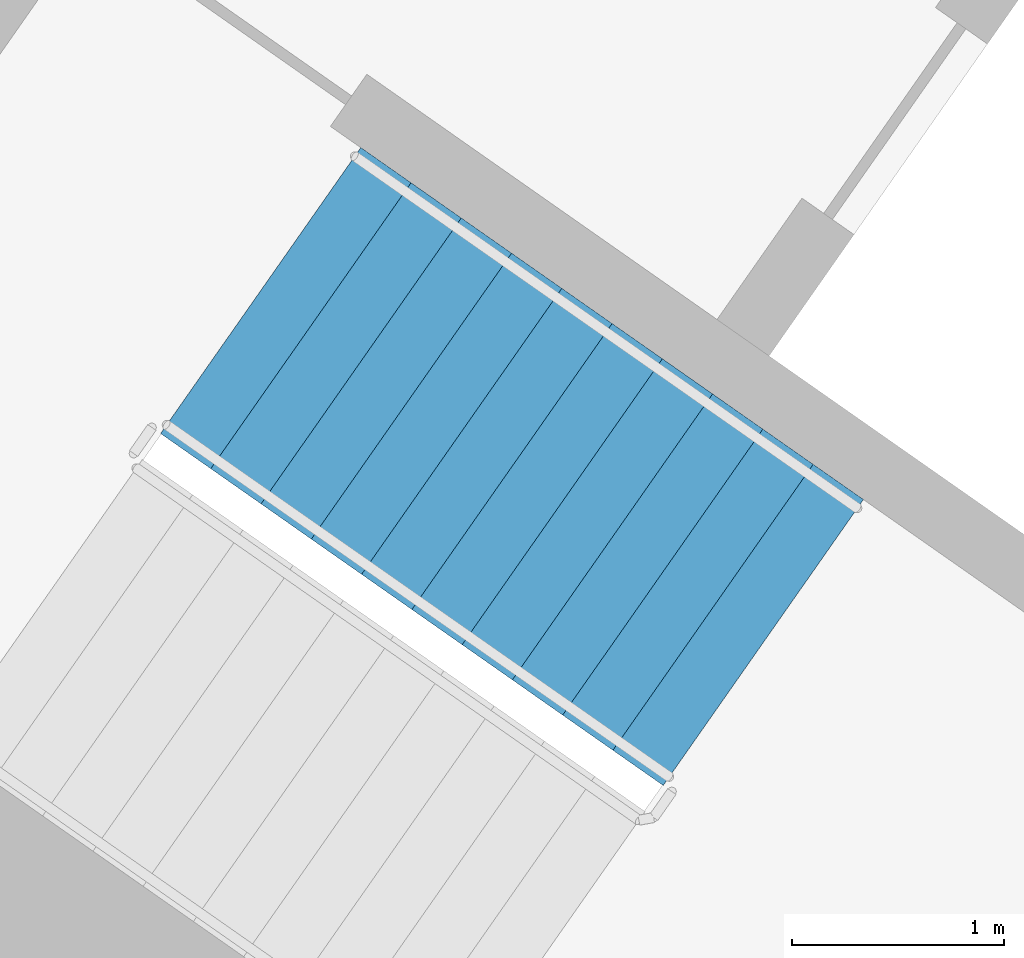
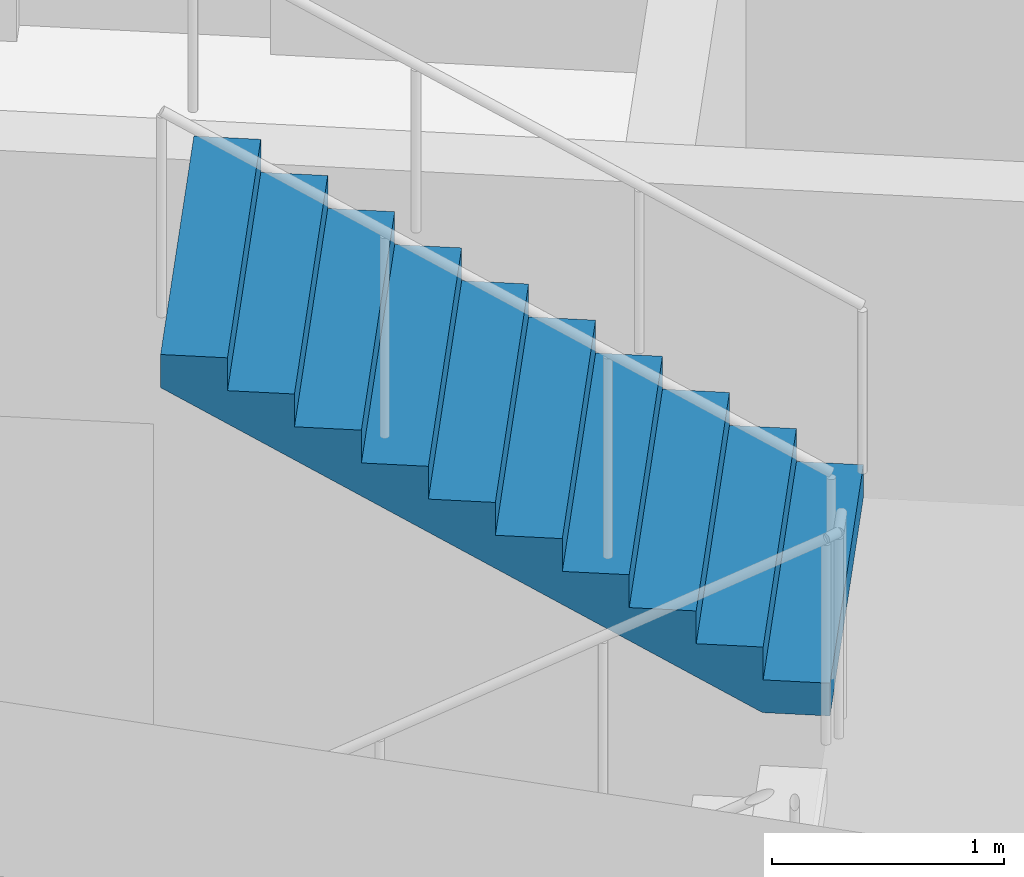
# One storey, part 11 of 31: 1 stair flight, 1 element without a shape of its own.
"""IFC4 building model written with IfcOpenShell, lengths in metres."""

from ifc_helpers import new_model, si_unit, direction, frame, origin, place, context, subcontext, project, spatial, faceted_brep, material, type_object, element, aggregate, save


model = new_model("IFC4")

# Units and contexts
model_context = context("Model", 3, precision=1e-05, world=origin(), true_north=direction((0.0, 1.0)))
body_context = subcontext(model_context, "Body", "Model", "MODEL_VIEW")
ifc_project = project(units=[si_unit("LENGTHUNIT", "METRE"), si_unit("AREAUNIT", "SQUARE_METRE"), si_unit("VOLUMEUNIT", "CUBIC_METRE"), si_unit("PLANEANGLEUNIT", "RADIAN"), si_unit("MASSUNIT", "GRAM", prefix="KILO")], contexts=[model_context])

# Site, building, storey
site_placement = place(None, origin())
site = spatial("IfcSite", under=ifc_project, at=site_placement, CompositionType="ELEMENT")
building_placement = place(site_placement, origin())
building = spatial("IfcBuilding", under=site, at=building_placement, Name="Qamariyya Broadcast Tower", CompositionType="ELEMENT")
storey_placement = place(building_placement, frame((0.0, 0.0, 48.10009765625)))
storey = spatial("IfcBuildingStorey", under=building, at=storey_placement, Name="L08", CompositionType="ELEMENT", Elevation=48.10009765625)

# Stair, stair flight
ifc_material = material(Name="Concrete C50/60", Category="concrete")
stair_type = type_object("IfcStairType", Name="Exit stair 22 risers of 173 mm", PredefinedType="HALF_TURN_STAIR", material=ifc_material)
stair_placement = place(storey_placement, origin())
stair = element("IfcStair", 1, at=stair_placement, inside=storey, type_object=stair_type, Name="L08 Stair W1", PredefinedType="HALF_TURN_STAIR")
stair_flight_type = type_object("IfcStairFlightType", Name="Exit stair flight 11 risers of 173 mm", PredefinedType="STRAIGHT", material=ifc_material)
stair_flight_placement = place(storey_placement, frame((-43.660888671875, -57.17138671875, 1.89990234375), z_axis=(0.0, 0.0, 1.0), x_axis=(-0.819152044289, 0.573576436351, 0.0)))
stair_flight = element("IfcStairFlight", 2, at=stair_flight_placement, type_object=stair_flight_type, Name="ST-W1 flight 2", NumberOfRisers=11, NumberOfTreads=10, PredefinedType="STRAIGHT", RiserHeight=0.172727273, TreadLength=0.29, context=body_context, shape_type="Brep", body=[
    faceted_brep([(0.0, 0.824951171875, 0.0), (0.0, 0.824951171875, 0.172607421875), (0.2900390625, 0.824951171875, 0.172607421875), (0.2900390625, 0.824951171875, 0.345458984375), (0.580078125, 0.824951171875, 0.345458984375), (0.580078125, 0.824951171875, 0.51806640625), (0.8701171875, 0.824951171875, 0.51806640625), (0.8701171875, 0.824951171875, 0.69091796875), (1.159912109375, 0.824951171875, 0.69091796875), (1.159912109375, 0.824951171875, 0.863525390625), (1.449951171875, 0.824951171875, 0.863525390625), (1.449951171875, 0.824951171875, 1.036376953125), (1.739990234375, 0.824951171875, 1.036376953125), (1.739990234375, 0.824951171875, 1.208984375), (2.030029296875, 0.824951171875, 1.208984375), (2.030029296875, 0.824951171875, 1.3818359375), (2.320068359375, 0.824951171875, 1.3818359375), (2.320068359375, 0.824951171875, 1.554443359375), (2.610107421875, 0.824951171875, 1.554443359375), (2.610107421875, 0.824951171875, 1.727294921875), (2.89990234375, 0.824951171875, 1.727294921875), (2.89990234375, 0.824951171875, 1.552734375), (0.29296875, 0.824951171875, 0.0), (0.29296875, -0.824951171875, 0.0), (2.89990234375, -0.824951171875, 1.552734375), (2.89990234375, -0.824951171875, 1.727294921875), (2.610107421875, -0.824951171875, 1.727294921875), (2.610107421875, -0.824951171875, 1.554443359375), (2.320068359375, -0.824951171875, 1.554443359375), (2.320068359375, -0.824951171875, 1.3818359375), (2.030029296875, -0.824951171875, 1.3818359375), (2.030029296875, -0.824951171875, 1.208984375), (1.739990234375, -0.824951171875, 1.208984375), (1.739990234375, -0.824951171875, 1.036376953125), (1.449951171875, -0.824951171875, 1.036376953125), (1.449951171875, -0.824951171875, 0.863525390625), (1.159912109375, -0.824951171875, 0.863525390625), (1.159912109375, -0.824951171875, 0.69091796875), (0.8701171875, -0.824951171875, 0.69091796875), (0.8701171875, -0.824951171875, 0.51806640625), (0.580078125, -0.824951171875, 0.51806640625), (0.580078125, -0.824951171875, 0.345458984375), (0.2900390625, -0.824951171875, 0.345458984375), (0.2900390625, -0.824951171875, 0.172607421875), (0.0, -0.824951171875, 0.172607421875), (0.0, -0.824951171875, 0.0), (0.0, 0.10009765625, 0.0), (0.0, 0.086669921875, 0.0), (0.0, 0.0732421875, 0.0), (0.0, 0.06005859375, 0.0), (0.0, 0.046630859375, 0.0), (0.0, 0.033447265625, 0.0), (0.0, 0.02001953125, 0.0), (0.0, 0.006591796875, 0.0), (0.0, -0.006591796875, 0.0), (0.0, -0.02001953125, 0.0), (0.0, -0.033447265625, 0.0), (0.0, -0.046630859375, 0.0), (0.0, -0.06005859375, 0.0), (0.0, -0.0732421875, 0.0), (0.0, -0.086669921875, 0.0), (0.0, -0.10009765625, 0.0), (0.0, -0.10009765625, 0.172607421875), (0.0, -0.086669921875, 0.172607421875), (0.0, -0.0732421875, 0.172607421875), (0.0, -0.06005859375, 0.172607421875), (0.0, -0.046630859375, 0.172607421875), (0.0, -0.033447265625, 0.172607421875), (0.0, -0.02001953125, 0.172607421875), (0.0, -0.006591796875, 0.172607421875), (0.0, 0.006591796875, 0.172607421875), (0.0, 0.02001953125, 0.172607421875), (0.0, 0.033447265625, 0.172607421875), (0.0, 0.046630859375, 0.172607421875), (0.0, 0.06005859375, 0.172607421875), (0.0, 0.0732421875, 0.172607421875), (0.0, 0.086669921875, 0.172607421875), (0.0, 0.10009765625, 0.172607421875), (0.2900390625, -0.10009765625, 0.172607421875), (0.2900390625, -0.086669921875, 0.172607421875), (0.2900390625, -0.0732421875, 0.172607421875), (0.2900390625, -0.06005859375, 0.172607421875), (0.2900390625, -0.046630859375, 0.172607421875), (0.2900390625, -0.033447265625, 0.172607421875), (0.2900390625, -0.02001953125, 0.172607421875), (0.2900390625, -0.006591796875, 0.172607421875), (0.2900390625, 0.006591796875, 0.172607421875), (0.2900390625, 0.02001953125, 0.172607421875), (0.2900390625, 0.033447265625, 0.172607421875), (0.2900390625, 0.046630859375, 0.172607421875), (0.2900390625, 0.06005859375, 0.172607421875), (0.2900390625, 0.0732421875, 0.172607421875), (0.2900390625, 0.086669921875, 0.172607421875), (0.2900390625, 0.10009765625, 0.172607421875), (0.2900390625, -0.10009765625, 0.345458984375), (0.2900390625, -0.086669921875, 0.345458984375), (0.2900390625, -0.0732421875, 0.345458984375), (0.2900390625, -0.06005859375, 0.345458984375), (0.2900390625, -0.046630859375, 0.345458984375), (0.2900390625, -0.033447265625, 0.345458984375), (0.2900390625, -0.02001953125, 0.345458984375), (0.2900390625, -0.006591796875, 0.345458984375), (0.2900390625, 0.006591796875, 0.345458984375), (0.2900390625, 0.02001953125, 0.345458984375), (0.2900390625, 0.033447265625, 0.345458984375), (0.2900390625, 0.046630859375, 0.345458984375), (0.2900390625, 0.06005859375, 0.345458984375), (0.2900390625, 0.0732421875, 0.345458984375), (0.2900390625, 0.086669921875, 0.345458984375), (0.2900390625, 0.10009765625, 0.345458984375), (0.580078125, -0.10009765625, 0.345458984375), (0.580078125, -0.086669921875, 0.345458984375), (0.580078125, -0.0732421875, 0.345458984375), (0.580078125, -0.06005859375, 0.345458984375), (0.580078125, -0.046630859375, 0.345458984375), (0.580078125, -0.033447265625, 0.345458984375), (0.580078125, -0.02001953125, 0.345458984375), (0.580078125, -0.006591796875, 0.345458984375), (0.580078125, 0.006591796875, 0.345458984375), (0.580078125, 0.02001953125, 0.345458984375), (0.580078125, 0.033447265625, 0.345458984375), (0.580078125, 0.046630859375, 0.345458984375), (0.580078125, 0.06005859375, 0.345458984375), (0.580078125, 0.0732421875, 0.345458984375), (0.580078125, 0.086669921875, 0.345458984375), (0.580078125, 0.10009765625, 0.345458984375), (0.580078125, -0.10009765625, 0.51806640625), (0.580078125, -0.086669921875, 0.51806640625), (0.580078125, -0.0732421875, 0.51806640625), (0.580078125, -0.06005859375, 0.51806640625), (0.580078125, -0.046630859375, 0.51806640625), (0.580078125, -0.033447265625, 0.51806640625), (0.580078125, -0.02001953125, 0.51806640625), (0.580078125, -0.006591796875, 0.51806640625), (0.580078125, 0.006591796875, 0.51806640625), (0.580078125, 0.02001953125, 0.51806640625), (0.580078125, 0.033447265625, 0.51806640625), (0.580078125, 0.046630859375, 0.51806640625), (0.580078125, 0.06005859375, 0.51806640625), (0.580078125, 0.0732421875, 0.51806640625), (0.580078125, 0.086669921875, 0.51806640625), (0.580078125, 0.10009765625, 0.51806640625), (0.8701171875, -0.10009765625, 0.51806640625), (0.8701171875, -0.086669921875, 0.51806640625), (0.8701171875, -0.0732421875, 0.51806640625), (0.8701171875, -0.06005859375, 0.51806640625), (0.8701171875, -0.046630859375, 0.51806640625), (0.8701171875, -0.033447265625, 0.51806640625), (0.8701171875, -0.02001953125, 0.51806640625), (0.8701171875, -0.006591796875, 0.51806640625), (0.8701171875, 0.006591796875, 0.51806640625), (0.8701171875, 0.02001953125, 0.51806640625), (0.8701171875, 0.033447265625, 0.51806640625), (0.8701171875, 0.046630859375, 0.51806640625), (0.8701171875, 0.06005859375, 0.51806640625), (0.8701171875, 0.0732421875, 0.51806640625), (0.8701171875, 0.086669921875, 0.51806640625), (0.8701171875, 0.10009765625, 0.51806640625), (0.8701171875, -0.10009765625, 0.69091796875), (0.8701171875, -0.086669921875, 0.69091796875), (0.8701171875, -0.0732421875, 0.69091796875), (0.8701171875, -0.06005859375, 0.69091796875), (0.8701171875, -0.046630859375, 0.69091796875), (0.8701171875, -0.033447265625, 0.69091796875), (0.8701171875, -0.02001953125, 0.69091796875), (0.8701171875, -0.006591796875, 0.69091796875), (0.8701171875, 0.006591796875, 0.69091796875), (0.8701171875, 0.02001953125, 0.69091796875), (0.8701171875, 0.033447265625, 0.69091796875), (0.8701171875, 0.046630859375, 0.69091796875), (0.8701171875, 0.06005859375, 0.69091796875), (0.8701171875, 0.0732421875, 0.69091796875), (0.8701171875, 0.086669921875, 0.69091796875), (0.8701171875, 0.10009765625, 0.69091796875), (1.159912109375, -0.10009765625, 0.69091796875), (1.159912109375, -0.086669921875, 0.69091796875), (1.159912109375, -0.0732421875, 0.69091796875), (1.159912109375, -0.06005859375, 0.69091796875), (1.159912109375, -0.046630859375, 0.69091796875), (1.159912109375, -0.033447265625, 0.69091796875), (1.159912109375, -0.02001953125, 0.69091796875), (1.159912109375, -0.006591796875, 0.69091796875), (1.159912109375, 0.006591796875, 0.69091796875), (1.159912109375, 0.02001953125, 0.69091796875), (1.159912109375, 0.033447265625, 0.69091796875), (1.159912109375, 0.046630859375, 0.69091796875), (1.159912109375, 0.06005859375, 0.69091796875), (1.159912109375, 0.0732421875, 0.69091796875), (1.159912109375, 0.086669921875, 0.69091796875), (1.159912109375, 0.10009765625, 0.69091796875), (1.159912109375, -0.10009765625, 0.863525390625), (1.159912109375, -0.086669921875, 0.863525390625), (1.159912109375, -0.0732421875, 0.863525390625), (1.159912109375, -0.06005859375, 0.863525390625), (1.159912109375, -0.046630859375, 0.863525390625), (1.159912109375, -0.033447265625, 0.863525390625), (1.159912109375, -0.02001953125, 0.863525390625), (1.159912109375, -0.006591796875, 0.863525390625), (1.159912109375, 0.006591796875, 0.863525390625), (1.159912109375, 0.02001953125, 0.863525390625), (1.159912109375, 0.033447265625, 0.863525390625), (1.159912109375, 0.046630859375, 0.863525390625), (1.159912109375, 0.06005859375, 0.863525390625), (1.159912109375, 0.0732421875, 0.863525390625), (1.159912109375, 0.086669921875, 0.863525390625), (1.159912109375, 0.10009765625, 0.863525390625), (1.449951171875, -0.10009765625, 0.863525390625), (1.449951171875, -0.086669921875, 0.863525390625), (1.449951171875, -0.0732421875, 0.863525390625), (1.449951171875, -0.06005859375, 0.863525390625), (1.449951171875, -0.046630859375, 0.863525390625), (1.449951171875, -0.033447265625, 0.863525390625), (1.449951171875, -0.02001953125, 0.863525390625), (1.449951171875, -0.006591796875, 0.863525390625), (1.449951171875, 0.006591796875, 0.863525390625), (1.449951171875, 0.02001953125, 0.863525390625), (1.449951171875, 0.033447265625, 0.863525390625), (1.449951171875, 0.046630859375, 0.863525390625), (1.449951171875, 0.06005859375, 0.863525390625), (1.449951171875, 0.0732421875, 0.863525390625), (1.449951171875, 0.086669921875, 0.863525390625), (1.449951171875, 0.10009765625, 0.863525390625), (1.449951171875, -0.10009765625, 1.036376953125), (1.449951171875, -0.086669921875, 1.036376953125), (1.449951171875, -0.0732421875, 1.036376953125), (1.449951171875, -0.06005859375, 1.036376953125), (1.449951171875, -0.046630859375, 1.036376953125), (1.449951171875, -0.033447265625, 1.036376953125), (1.449951171875, -0.02001953125, 1.036376953125), (1.449951171875, -0.006591796875, 1.036376953125), (1.449951171875, 0.006591796875, 1.036376953125), (1.449951171875, 0.02001953125, 1.036376953125), (1.449951171875, 0.033447265625, 1.036376953125), (1.449951171875, 0.046630859375, 1.036376953125), (1.449951171875, 0.06005859375, 1.036376953125), (1.449951171875, 0.0732421875, 1.036376953125), (1.449951171875, 0.086669921875, 1.036376953125), (1.449951171875, 0.10009765625, 1.036376953125), (1.739990234375, -0.10009765625, 1.036376953125), (1.739990234375, -0.086669921875, 1.036376953125), (1.739990234375, -0.0732421875, 1.036376953125), (1.739990234375, -0.06005859375, 1.036376953125), (1.739990234375, -0.046630859375, 1.036376953125), (1.739990234375, -0.033447265625, 1.036376953125), (1.739990234375, -0.02001953125, 1.036376953125), (1.739990234375, -0.006591796875, 1.036376953125), (1.739990234375, 0.006591796875, 1.036376953125), (1.739990234375, 0.02001953125, 1.036376953125), (1.739990234375, 0.033447265625, 1.036376953125), (1.739990234375, 0.046630859375, 1.036376953125), (1.739990234375, 0.06005859375, 1.036376953125), (1.739990234375, 0.0732421875, 1.036376953125), (1.739990234375, 0.086669921875, 1.036376953125), (1.739990234375, 0.10009765625, 1.036376953125), (1.739990234375, -0.10009765625, 1.208984375), (1.739990234375, -0.086669921875, 1.208984375), (1.739990234375, -0.0732421875, 1.208984375), (1.739990234375, -0.06005859375, 1.208984375), (1.739990234375, -0.046630859375, 1.208984375), (1.739990234375, -0.033447265625, 1.208984375), (1.739990234375, -0.02001953125, 1.208984375), (1.739990234375, -0.006591796875, 1.208984375), (1.739990234375, 0.006591796875, 1.208984375), (1.739990234375, 0.02001953125, 1.208984375), (1.739990234375, 0.033447265625, 1.208984375), (1.739990234375, 0.046630859375, 1.208984375), (1.739990234375, 0.06005859375, 1.208984375), (1.739990234375, 0.0732421875, 1.208984375), (1.739990234375, 0.086669921875, 1.208984375), (1.739990234375, 0.10009765625, 1.208984375), (2.030029296875, -0.10009765625, 1.208984375), (2.030029296875, -0.086669921875, 1.208984375), (2.030029296875, -0.0732421875, 1.208984375), (2.030029296875, -0.06005859375, 1.208984375), (2.030029296875, -0.046630859375, 1.208984375), (2.030029296875, -0.033447265625, 1.208984375), (2.030029296875, -0.02001953125, 1.208984375), (2.030029296875, -0.006591796875, 1.208984375), (2.030029296875, 0.006591796875, 1.208984375), (2.030029296875, 0.02001953125, 1.208984375), (2.030029296875, 0.033447265625, 1.208984375), (2.030029296875, 0.046630859375, 1.208984375), (2.030029296875, 0.06005859375, 1.208984375), (2.030029296875, 0.0732421875, 1.208984375), (2.030029296875, 0.086669921875, 1.208984375), (2.030029296875, 0.10009765625, 1.208984375), (2.030029296875, -0.10009765625, 1.3818359375), (2.030029296875, -0.086669921875, 1.3818359375), (2.030029296875, -0.0732421875, 1.3818359375), (2.030029296875, -0.06005859375, 1.3818359375), (2.030029296875, -0.046630859375, 1.3818359375), (2.030029296875, -0.033447265625, 1.3818359375), (2.030029296875, -0.02001953125, 1.3818359375), (2.030029296875, -0.006591796875, 1.3818359375), (2.030029296875, 0.006591796875, 1.3818359375), (2.030029296875, 0.02001953125, 1.3818359375), (2.030029296875, 0.033447265625, 1.3818359375), (2.030029296875, 0.046630859375, 1.3818359375), (2.030029296875, 0.06005859375, 1.3818359375), (2.030029296875, 0.0732421875, 1.3818359375), (2.030029296875, 0.086669921875, 1.3818359375), (2.030029296875, 0.10009765625, 1.3818359375), (2.320068359375, -0.10009765625, 1.3818359375), (2.320068359375, -0.086669921875, 1.3818359375), (2.320068359375, -0.0732421875, 1.3818359375), (2.320068359375, -0.06005859375, 1.3818359375), (2.320068359375, -0.046630859375, 1.3818359375), (2.320068359375, -0.033447265625, 1.3818359375), (2.320068359375, -0.02001953125, 1.3818359375), (2.320068359375, -0.006591796875, 1.3818359375), (2.320068359375, 0.006591796875, 1.3818359375), (2.320068359375, 0.02001953125, 1.3818359375), (2.320068359375, 0.033447265625, 1.3818359375), (2.320068359375, 0.046630859375, 1.3818359375), (2.320068359375, 0.06005859375, 1.3818359375), (2.320068359375, 0.0732421875, 1.3818359375), (2.320068359375, 0.086669921875, 1.3818359375), (2.320068359375, 0.10009765625, 1.3818359375), (2.320068359375, -0.10009765625, 1.554443359375), (2.320068359375, -0.086669921875, 1.554443359375), (2.320068359375, -0.0732421875, 1.554443359375), (2.320068359375, -0.06005859375, 1.554443359375), (2.320068359375, -0.046630859375, 1.554443359375), (2.320068359375, -0.033447265625, 1.554443359375), (2.320068359375, -0.02001953125, 1.554443359375), (2.320068359375, -0.006591796875, 1.554443359375), (2.320068359375, 0.006591796875, 1.554443359375), (2.320068359375, 0.02001953125, 1.554443359375), (2.320068359375, 0.033447265625, 1.554443359375), (2.320068359375, 0.046630859375, 1.554443359375), (2.320068359375, 0.06005859375, 1.554443359375), (2.320068359375, 0.0732421875, 1.554443359375), (2.320068359375, 0.086669921875, 1.554443359375), (2.320068359375, 0.10009765625, 1.554443359375), (2.610107421875, -0.10009765625, 1.554443359375), (2.610107421875, -0.086669921875, 1.554443359375), (2.610107421875, -0.0732421875, 1.554443359375), (2.610107421875, -0.06005859375, 1.554443359375), (2.610107421875, -0.046630859375, 1.554443359375), (2.610107421875, -0.033447265625, 1.554443359375), (2.610107421875, -0.02001953125, 1.554443359375), (2.610107421875, -0.006591796875, 1.554443359375), (2.610107421875, 0.006591796875, 1.554443359375), (2.610107421875, 0.02001953125, 1.554443359375), (2.610107421875, 0.033447265625, 1.554443359375), (2.610107421875, 0.046630859375, 1.554443359375), (2.610107421875, 0.06005859375, 1.554443359375), (2.610107421875, 0.0732421875, 1.554443359375), (2.610107421875, 0.086669921875, 1.554443359375), (2.610107421875, 0.10009765625, 1.554443359375), (2.610107421875, -0.10009765625, 1.727294921875), (2.610107421875, -0.086669921875, 1.727294921875), (2.610107421875, -0.0732421875, 1.727294921875), (2.610107421875, -0.06005859375, 1.727294921875), (2.610107421875, -0.046630859375, 1.727294921875), (2.610107421875, -0.033447265625, 1.727294921875), (2.610107421875, -0.02001953125, 1.727294921875), (2.610107421875, -0.006591796875, 1.727294921875), (2.610107421875, 0.006591796875, 1.727294921875), (2.610107421875, 0.02001953125, 1.727294921875), (2.610107421875, 0.033447265625, 1.727294921875), (2.610107421875, 0.046630859375, 1.727294921875), (2.610107421875, 0.06005859375, 1.727294921875), (2.610107421875, 0.0732421875, 1.727294921875), (2.610107421875, 0.086669921875, 1.727294921875), (2.610107421875, 0.10009765625, 1.727294921875), (2.89990234375, -0.10009765625, 1.727294921875), (2.89990234375, -0.086669921875, 1.727294921875), (2.89990234375, -0.0732421875, 1.727294921875), (2.89990234375, -0.06005859375, 1.727294921875), (2.89990234375, -0.046630859375, 1.727294921875), (2.89990234375, -0.033447265625, 1.727294921875), (2.89990234375, -0.02001953125, 1.727294921875), (2.89990234375, -0.006591796875, 1.727294921875), (2.89990234375, 0.006591796875, 1.727294921875), (2.89990234375, 0.02001953125, 1.727294921875), (2.89990234375, 0.033447265625, 1.727294921875), (2.89990234375, 0.046630859375, 1.727294921875), (2.89990234375, 0.06005859375, 1.727294921875), (2.89990234375, 0.0732421875, 1.727294921875), (2.89990234375, 0.086669921875, 1.727294921875), (2.89990234375, 0.10009765625, 1.727294921875), (2.89990234375, -0.10009765625, 1.552734375), (2.89990234375, -0.086669921875, 1.552734375), (2.89990234375, -0.0732421875, 1.552734375), (2.89990234375, -0.06005859375, 1.552734375), (2.89990234375, -0.046630859375, 1.552734375), (2.89990234375, -0.033447265625, 1.552734375), (2.89990234375, -0.02001953125, 1.552734375), (2.89990234375, -0.006591796875, 1.552734375), (2.89990234375, 0.006591796875, 1.552734375), (2.89990234375, 0.02001953125, 1.552734375), (2.89990234375, 0.033447265625, 1.552734375), (2.89990234375, 0.046630859375, 1.552734375), (2.89990234375, 0.06005859375, 1.552734375), (2.89990234375, 0.0732421875, 1.552734375), (2.89990234375, 0.086669921875, 1.552734375), (2.89990234375, 0.10009765625, 1.552734375), (0.29296875, -0.10009765625, 0.0), (0.29296875, -0.086669921875, 0.0), (0.29296875, -0.0732421875, 0.0), (0.29296875, -0.06005859375, 0.0), (0.29296875, -0.046630859375, 0.0), (0.29296875, -0.033447265625, 0.0), (0.29296875, -0.02001953125, 0.0), (0.29296875, -0.006591796875, 0.0), (0.29296875, 0.006591796875, 0.0), (0.29296875, 0.02001953125, 0.0), (0.29296875, 0.033447265625, 0.0), (0.29296875, 0.046630859375, 0.0), (0.29296875, 0.06005859375, 0.0), (0.29296875, 0.0732421875, 0.0), (0.29296875, 0.086669921875, 0.0), (0.29296875, 0.10009765625, 0.0)], [[[0, 1, 2, 3, 4, 5, 6, 7, 8, 9, 10, 11, 12, 13, 14, 15, 16, 17, 18, 19, 20, 21, 22]], [[23, 24, 25, 26, 27, 28, 29, 30, 31, 32, 33, 34, 35, 36, 37, 38, 39, 40, 41, 42, 43, 44, 45]], [[0, 46, 47, 48, 49, 50, 51, 52, 53, 54, 55, 56, 57, 58, 59, 60, 61, 45, 44, 62, 63, 64, 65, 66, 67, 68, 69, 70, 71, 72, 73, 74, 75, 76, 77, 1]], [[1, 77, 76, 75, 74, 73, 72, 71, 70, 69, 68, 67, 66, 65, 64, 63, 62, 44, 43, 78, 79, 80, 81, 82, 83, 84, 85, 86, 87, 88, 89, 90, 91, 92, 93, 2]], [[2, 93, 92, 91, 90, 89, 88, 87, 86, 85, 84, 83, 82, 81, 80, 79, 78, 43, 42, 94, 95, 96, 97, 98, 99, 100, 101, 102, 103, 104, 105, 106, 107, 108, 109, 3]], [[3, 109, 108, 107, 106, 105, 104, 103, 102, 101, 100, 99, 98, 97, 96, 95, 94, 42, 41, 110, 111, 112, 113, 114, 115, 116, 117, 118, 119, 120, 121, 122, 123, 124, 125, 4]], [[4, 125, 124, 123, 122, 121, 120, 119, 118, 117, 116, 115, 114, 113, 112, 111, 110, 41, 40, 126, 127, 128, 129, 130, 131, 132, 133, 134, 135, 136, 137, 138, 139, 140, 141, 5]], [[5, 141, 140, 139, 138, 137, 136, 135, 134, 133, 132, 131, 130, 129, 128, 127, 126, 40, 39, 142, 143, 144, 145, 146, 147, 148, 149, 150, 151, 152, 153, 154, 155, 156, 157, 6]], [[6, 157, 156, 155, 154, 153, 152, 151, 150, 149, 148, 147, 146, 145, 144, 143, 142, 39, 38, 158, 159, 160, 161, 162, 163, 164, 165, 166, 167, 168, 169, 170, 171, 172, 173, 7]], [[7, 173, 172, 171, 170, 169, 168, 167, 166, 165, 164, 163, 162, 161, 160, 159, 158, 38, 37, 174, 175, 176, 177, 178, 179, 180, 181, 182, 183, 184, 185, 186, 187, 188, 189, 8]], [[8, 189, 188, 187, 186, 185, 184, 183, 182, 181, 180, 179, 178, 177, 176, 175, 174, 37, 36, 190, 191, 192, 193, 194, 195, 196, 197, 198, 199, 200, 201, 202, 203, 204, 205, 9]], [[9, 205, 204, 203, 202, 201, 200, 199, 198, 197, 196, 195, 194, 193, 192, 191, 190, 36, 35, 206, 207, 208, 209, 210, 211, 212, 213, 214, 215, 216, 217, 218, 219, 220, 221, 10]], [[10, 221, 220, 219, 218, 217, 216, 215, 214, 213, 212, 211, 210, 209, 208, 207, 206, 35, 34, 222, 223, 224, 225, 226, 227, 228, 229, 230, 231, 232, 233, 234, 235, 236, 237, 11]], [[11, 237, 236, 235, 234, 233, 232, 231, 230, 229, 228, 227, 226, 225, 224, 223, 222, 34, 33, 238, 239, 240, 241, 242, 243, 244, 245, 246, 247, 248, 249, 250, 251, 252, 253, 12]], [[12, 253, 252, 251, 250, 249, 248, 247, 246, 245, 244, 243, 242, 241, 240, 239, 238, 33, 32, 254, 255, 256, 257, 258, 259, 260, 261, 262, 263, 264, 265, 266, 267, 268, 269, 13]], [[13, 269, 268, 267, 266, 265, 264, 263, 262, 261, 260, 259, 258, 257, 256, 255, 254, 32, 31, 270, 271, 272, 273, 274, 275, 276, 277, 278, 279, 280, 281, 282, 283, 284, 285, 14]], [[14, 285, 284, 283, 282, 281, 280, 279, 278, 277, 276, 275, 274, 273, 272, 271, 270, 31, 30, 286, 287, 288, 289, 290, 291, 292, 293, 294, 295, 296, 297, 298, 299, 300, 301, 15]], [[15, 301, 300, 299, 298, 297, 296, 295, 294, 293, 292, 291, 290, 289, 288, 287, 286, 30, 29, 302, 303, 304, 305, 306, 307, 308, 309, 310, 311, 312, 313, 314, 315, 316, 317, 16]], [[16, 317, 316, 315, 314, 313, 312, 311, 310, 309, 308, 307, 306, 305, 304, 303, 302, 29, 28, 318, 319, 320, 321, 322, 323, 324, 325, 326, 327, 328, 329, 330, 331, 332, 333, 17]], [[17, 333, 332, 331, 330, 329, 328, 327, 326, 325, 324, 323, 322, 321, 320, 319, 318, 28, 27, 334, 335, 336, 337, 338, 339, 340, 341, 342, 343, 344, 345, 346, 347, 348, 349, 18]], [[18, 349, 348, 347, 346, 345, 344, 343, 342, 341, 340, 339, 338, 337, 336, 335, 334, 27, 26, 350, 351, 352, 353, 354, 355, 356, 357, 358, 359, 360, 361, 362, 363, 364, 365, 19]], [[19, 365, 364, 363, 362, 361, 360, 359, 358, 357, 356, 355, 354, 353, 352, 351, 350, 26, 25, 366, 367, 368, 369, 370, 371, 372, 373, 374, 375, 376, 377, 378, 379, 380, 381, 20]], [[20, 381, 380, 379, 378, 377, 376, 375, 374, 373, 372, 371, 370, 369, 368, 367, 366, 25, 24, 382, 383, 384, 385, 386, 387, 388, 389, 390, 391, 392, 393, 394, 395, 396, 397, 21]], [[21, 397, 396, 395, 394, 393, 392, 391, 390, 389, 388, 387, 386, 385, 384, 383, 382, 24, 23, 398, 399, 400, 401, 402, 403, 404, 405, 406, 407, 408, 409, 410, 411, 412, 413, 22]], [[22, 413, 412, 411, 410, 409, 408, 407, 406, 405, 404, 403, 402, 401, 400, 399, 398, 23, 45, 61, 60, 59, 58, 57, 56, 55, 54, 53, 52, 51, 50, 49, 48, 47, 46, 0]]]),
])
aggregate(stair, [stair_flight])

save(model, "model.ifc")
